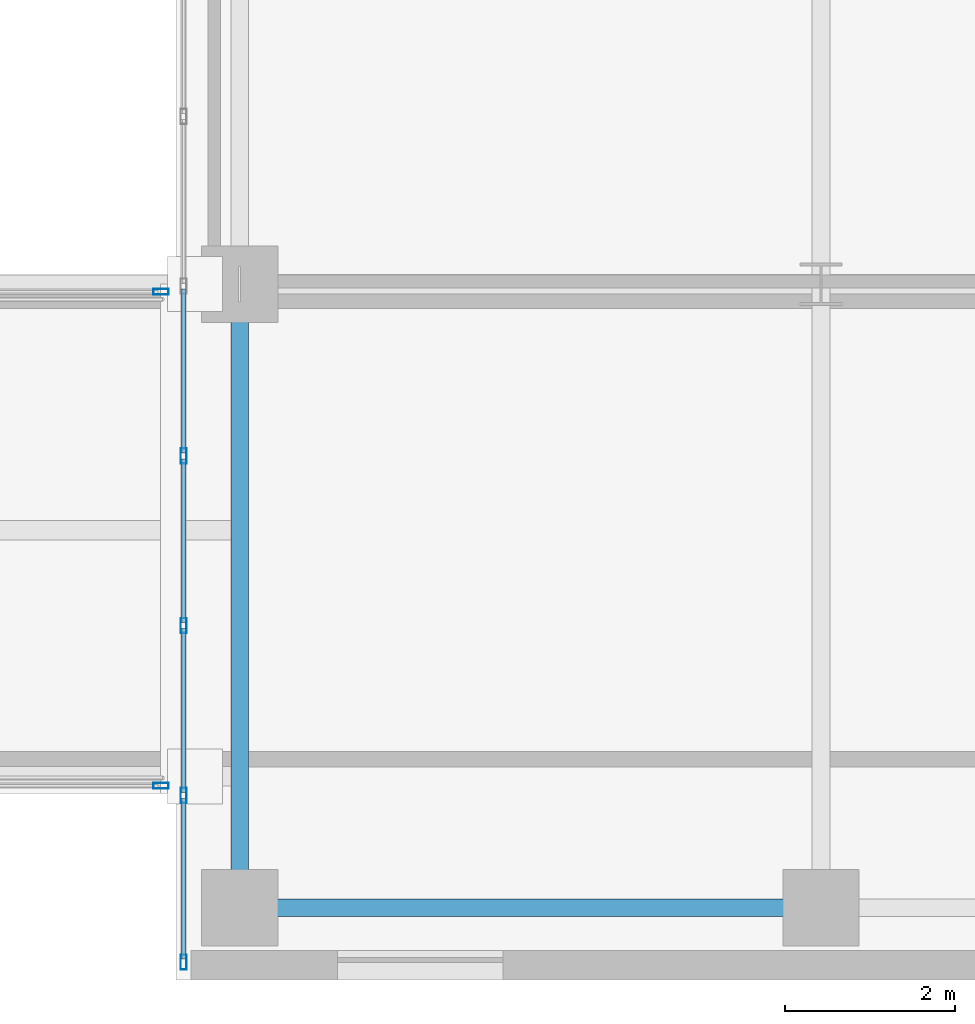
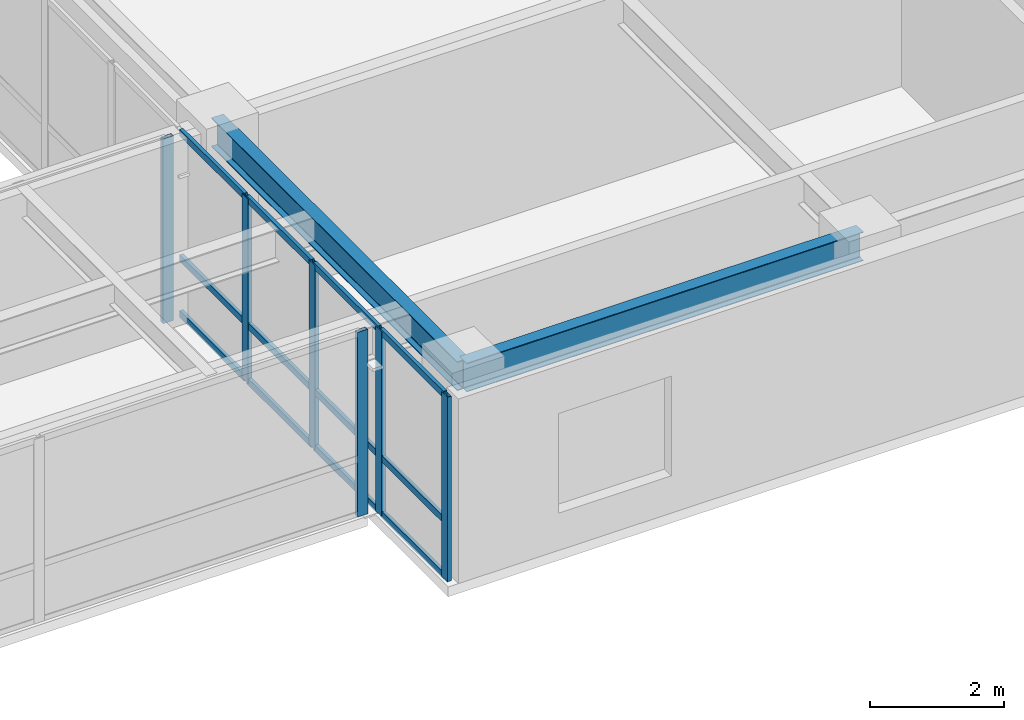
# One storey, part 5 of 25: 18 members, 2 beams, 3 elements without a shape of their own.
"""IFC4 building model written with IfcOpenShell, lengths in metres."""

from ifc_helpers import new_model, si_unit, direction, frame, origin, origin_2d, place, context, subcontext, project, spatial, hollow_rectangle, i_section, extrude, source, transform, mapped, material, layer, layer_set, material_profile, profile_set, type_object, type_shapes, element, aggregate, save


model = new_model("IFC4")

# Units and contexts
model_context = context("Model", 3, precision=1e-05, world=origin(), true_north=direction((0.0, 1.0)))
body_context = subcontext(model_context, "Body", "Model", "MODEL_VIEW")
ifc_project = project(units=[si_unit("LENGTHUNIT", "METRE"), si_unit("AREAUNIT", "SQUARE_METRE"), si_unit("VOLUMEUNIT", "CUBIC_METRE"), si_unit("PLANEANGLEUNIT", "RADIAN"), si_unit("MASSUNIT", "GRAM", prefix="KILO")], contexts=[model_context])

# Site, building, storey
site_placement = place(None, origin())
site = spatial("IfcSite", under=ifc_project, at=site_placement, CompositionType="ELEMENT")
building_placement = place(site_placement, origin())
building = spatial("IfcBuilding", under=site, at=building_placement, Name="Tolvann Quenvar Hotel", CompositionType="ELEMENT")
storey_placement = place(building_placement, frame((0.0, 0.0, 122.199951171875)))
storey = spatial("IfcBuildingStorey", under=building, at=storey_placement, Name="L31", CompositionType="ELEMENT", Elevation=122.199951171875)

# Beams
ifc_material_1 = material(Name="Steel Grade 350", Category="steel")
ifc_material_profile_1 = material_profile(ifc_material_1, i_section(OverallWidth=0.208984375, OverallDepth=0.528076171875, WebThickness=0.009521484375, FlangeThickness=0.01318359375, FilletRadius=0.013916015625, at=origin_2d()), Name="530UB82")
ifc_profile_set_1 = profile_set([ifc_material_profile_1], Name="Steel Grade 350")
beam_type_1 = type_object("IfcBeamType", Name="BM_SPAND_530UB82", PredefinedType="SPANDREL", material=ifc_profile_set_1)
shared_shape_1 = source(origin(), body_context, "Body", "SweptSolid", [
    extrude(i_section(OverallWidth=0.208984375, OverallDepth=0.528076171875, WebThickness=0.009521484375, FlangeThickness=0.01318359375, FilletRadius=0.013916015625, at=origin_2d()), origin(), (0.0, 0.0, 1.0), 6.85009765625),
])
type_shapes(beam_type_1, [shared_shape_1])
beam_1_placement = place(storey_placement, frame((34.949951171875, 0.85009765625, 3.10595703125), z_axis=(1.0, 0.0, 0.0), x_axis=(0.0, 1.0, 0.0)))
element("IfcBeam", 1, at=beam_1_placement, inside=storey, type_object=beam_type_1, Name="BM-L31-EW-2-F2-H2", PredefinedType="SPANDREL", context=body_context, shape_type="MappedRepresentation", body=[
    mapped(shared_shape_1, transform((0.0, 0.0, 0.0), x_axis=(1.0, 0.0, 0.0), y_axis=(0.0, 1.0, 0.0), z_axis=(0.0, 0.0, 1.0), scale=1.0)),
])
ifc_material_profile_2 = material_profile(ifc_material_1, i_section(OverallWidth=0.208984375, OverallDepth=0.532958984375, WebThickness=0.01025390625, FlangeThickness=0.015625, FilletRadius=0.013916015625, at=origin_2d()), Name="530UB92")
ifc_profile_set_2 = profile_set([ifc_material_profile_2], Name="Steel Grade 350")
beam_type_2 = type_object("IfcBeamType", Name="BM_GIRD_530UB92", PredefinedType="BEAM", material=ifc_profile_set_2)
shared_shape_2 = source(origin(), body_context, "Body", "SweptSolid", [
    extrude(i_section(OverallWidth=0.208984375, OverallDepth=0.532958984375, WebThickness=0.01025390625, FlangeThickness=0.015625, FilletRadius=0.013916015625, at=origin_2d()), origin(), (0.0, 0.0, 1.0), 7.349853515625),
])
type_shapes(beam_type_2, [shared_shape_2])
beam_2_placement = place(storey_placement, frame((34.949951171875, 0.85009765625, 3.103515625), z_axis=(0.0, 1.0, 0.0), x_axis=(-1.0, 0.0, 0.0)))
element("IfcBeam", 2, at=beam_2_placement, inside=storey, type_object=beam_type_2, Name="BM-L31-NS-F2-F3", PredefinedType="BEAM", context=body_context, shape_type="MappedRepresentation", body=[
    mapped(shared_shape_2, transform((0.0, 0.0, 0.0), x_axis=(1.0, 0.0, 0.0), y_axis=(0.0, 1.0, 0.0), z_axis=(0.0, 0.0, 1.0), scale=1.0)),
])

# Curtain wall, members
ifc_material_2 = material(Name="Thermally broken anodised architectural aluminium 6063-T6 and laminated low-E glass", Category="aluminium")
ifc_layer = layer(ifc_material_2, 0.179931640625)
ifc_layer_set = layer_set([ifc_layer], Name="Thermally broken anodised architectural aluminium 6063-T6 and laminated low-E glass")
curtain_wall_type = type_object("IfcCurtainWallType", Name="CW_SYS_SLOT_03", PredefinedType="USERDEFINED", material=ifc_layer_set)
curtain_wall_1_placement = place(storey_placement, origin())
curtain_wall_1 = element("IfcCurtainWall", 3, at=curtain_wall_1_placement, inside=storey, type_object=curtain_wall_type, Name="Curtain Wall CW-SLOT-03 (CWR-L31-E07)", ObjectType="UNITISED CURTAIN WALL", PredefinedType="USERDEFINED")
ifc_material_3 = material(Name="Anodised architectural aluminium 6063-T6 framing", Category="aluminium")
ifc_material_profile_3 = material_profile(ifc_material_3, hollow_rectangle(XDim=0.070068359375, YDim=0.179931640625, WallThickness=0.00390625, at=origin_2d()), Name="180x70x4RHS")
ifc_profile_set_3 = profile_set([ifc_material_profile_3], Name="Anodised architectural aluminium 6063-T6 framing")
member_type_1 = type_object("IfcMemberType", Name="CW_MULL_180x70", PredefinedType="MULLION", material=ifc_profile_set_3)
shared_shape_3 = source(origin(), body_context, "Body", "SweptSolid", [
    extrude(hollow_rectangle(XDim=0.070068359375, YDim=0.179931640625, WallThickness=0.00390625, at=origin_2d()), origin(), (0.0, 0.0, 1.0), 3.3701171875),
])
type_shapes(member_type_1, [shared_shape_3])
member_1_placement = place(storey_placement, frame((34.2900390625, 6.175048828125, 0.0), z_axis=(0.0, 0.0, 1.0), x_axis=(1.0, 0.0, 0.0)))
member_1 = element("IfcMember", 4, at=member_1_placement, type_object=member_type_1, Name="CW-SLOT-03 mullion 6", PredefinedType="MULLION", context=body_context, shape_type="MappedRepresentation", body=[
    mapped(shared_shape_3, transform((0.0, 0.0, 0.0), x_axis=(1.0, 0.0, 0.0), y_axis=(0.0, 1.0, 0.0), z_axis=(0.0, 0.0, 1.0), scale=1.0)),
])
member_2_placement = place(storey_placement, frame((34.2900390625, 4.175048828125, 0.0), z_axis=(0.0, 0.0, 1.0), x_axis=(1.0, 0.0, 0.0)))
member_2 = element("IfcMember", 5, at=member_2_placement, type_object=member_type_1, Name="CW-SLOT-03 mullion 7", PredefinedType="MULLION", context=body_context, shape_type="MappedRepresentation", body=[
    mapped(shared_shape_3, transform((0.0, 0.0, 0.0), x_axis=(1.0, 0.0, 0.0), y_axis=(0.0, 1.0, 0.0), z_axis=(0.0, 0.0, 1.0), scale=1.0)),
])
member_3_placement = place(storey_placement, frame((34.2900390625, 2.175048828125, 0.0), z_axis=(0.0, 0.0, 1.0), x_axis=(1.0, 0.0, 0.0)))
member_3 = element("IfcMember", 6, at=member_3_placement, type_object=member_type_1, Name="CW-SLOT-03 mullion 8", PredefinedType="MULLION", context=body_context, shape_type="MappedRepresentation", body=[
    mapped(shared_shape_3, transform((0.0, 0.0, 0.0), x_axis=(1.0, 0.0, 0.0), y_axis=(0.0, 1.0, 0.0), z_axis=(0.0, 0.0, 1.0), scale=1.0)),
])
member_4_placement = place(storey_placement, frame((34.2900390625, 0.2099609375, 0.0), z_axis=(0.0, 0.0, 1.0), x_axis=(1.0, 0.0, 0.0)))
member_4 = element("IfcMember", 7, at=member_4_placement, type_object=member_type_1, Name="CW-SLOT-03 mullion 9", PredefinedType="MULLION", context=body_context, shape_type="MappedRepresentation", body=[
    mapped(shared_shape_3, transform((0.0, 0.0, 0.0), x_axis=(1.0, 0.0, 0.0), y_axis=(0.0, 1.0, 0.0), z_axis=(0.0, 0.0, 1.0), scale=1.0)),
])

# Curtain wall, member
curtain_wall_2_placement = place(storey_placement, origin())
curtain_wall_2 = element("IfcCurtainWall", 8, at=curtain_wall_2_placement, inside=storey, type_object=curtain_wall_type, Name="Curtain Wall CW-SLOT-03 (CWR-BRG-L31-S)", ObjectType="UNITISED CURTAIN WALL", PredefinedType="USERDEFINED")
member_5_placement = place(storey_placement, frame((34.02490234375, 2.2900390625, 0.0), z_axis=(0.0, 0.0, 1.0), x_axis=(0.0, 1.0, 0.0)))
member_5 = element("IfcMember", 9, at=member_5_placement, type_object=member_type_1, Name="CW-SLOT-03 mullion 3", PredefinedType="MULLION", context=body_context, shape_type="MappedRepresentation", body=[
    mapped(shared_shape_3, transform((0.0, 0.0, 0.0), x_axis=(1.0, 0.0, 0.0), y_axis=(0.0, 1.0, 0.0), z_axis=(0.0, 0.0, 1.0), scale=1.0)),
])
aggregate(curtain_wall_2, [member_5])

curtain_wall_3_placement = place(storey_placement, origin())
curtain_wall_3 = element("IfcCurtainWall", 10, at=curtain_wall_3_placement, inside=storey, type_object=curtain_wall_type, Name="Curtain Wall CW-SLOT-03 (CWR-BRG-L31-N)", ObjectType="UNITISED CURTAIN WALL", PredefinedType="USERDEFINED")
member_6_placement = place(storey_placement, frame((34.02490234375, 8.110107421875, 0.0), z_axis=(0.0, 0.0, 1.0), x_axis=(0.0, -1.0, 0.0)))
member_6 = element("IfcMember", 11, at=member_6_placement, type_object=member_type_1, Name="CW-SLOT-03 mullion 1", PredefinedType="MULLION", context=body_context, shape_type="MappedRepresentation", body=[
    mapped(shared_shape_3, transform((0.0, 0.0, 0.0), x_axis=(1.0, 0.0, 0.0), y_axis=(0.0, 1.0, 0.0), z_axis=(0.0, 0.0, 1.0), scale=1.0)),
])
aggregate(curtain_wall_3, [member_6])

# Member
ifc_material_profile_4 = material_profile(ifc_material_3, hollow_rectangle(XDim=0.06005859375, YDim=0.1201171875, WallThickness=0.00341796875, at=origin_2d()), Name="120x60x3.5RHS")
ifc_profile_set_4 = profile_set([ifc_material_profile_4], Name="Anodised architectural aluminium 6063-T6 framing")
member_type_2 = type_object("IfcMemberType", Name="CW_TRAN_120x60", PredefinedType="USERDEFINED", material=ifc_profile_set_4)
shared_shape_4 = source(origin(), body_context, "Body", "SweptSolid", [
    extrude(hollow_rectangle(XDim=0.06005859375, YDim=0.1201171875, WallThickness=0.00341796875, at=origin_2d()), origin(), (0.0, 0.0, 1.0), 1.894775390625),
])
member_7_placement = place(storey_placement, frame((34.2900390625, 2.139892578125, 0.030029296875), z_axis=(0.0, -1.0, 0.0), x_axis=(1.0, 0.0, 0.0)))
member_7 = element("IfcMember", 12, at=member_7_placement, type_object=member_type_2, Name="CW-SLOT-03 transom 8.1", ObjectType="TRANSOM", PredefinedType="USERDEFINED", context=body_context, shape_type="MappedRepresentation", body=[
    mapped(shared_shape_4, transform((0.0, 0.0, 0.0), x_axis=(1.0, 0.0, 0.0), y_axis=(0.0, 1.0, 0.0), z_axis=(0.0, 0.0, 1.0), scale=1.0)),
])

member_8_placement = place(storey_placement, frame((34.2900390625, 2.139892578125, 1.050048828125), z_axis=(0.0, -1.0, 0.0), x_axis=(1.0, 0.0, 0.0)))
member_8 = element("IfcMember", 13, at=member_8_placement, type_object=member_type_2, Name="CW-SLOT-03 transom 8.2", ObjectType="TRANSOM", PredefinedType="USERDEFINED", context=body_context, shape_type="MappedRepresentation", body=[
    mapped(shared_shape_4, transform((0.0, 0.0, 0.0), x_axis=(1.0, 0.0, 0.0), y_axis=(0.0, 1.0, 0.0), z_axis=(0.0, 0.0, 1.0), scale=1.0)),
])

member_9_placement = place(storey_placement, frame((34.2900390625, 2.139892578125, 3.340087890625), z_axis=(0.0, -1.0, 0.0), x_axis=(1.0, 0.0, 0.0)))
member_9 = element("IfcMember", 14, at=member_9_placement, type_object=member_type_2, Name="CW-SLOT-03 transom 8.3", ObjectType="TRANSOM", PredefinedType="USERDEFINED", context=body_context, shape_type="MappedRepresentation", body=[
    mapped(shared_shape_4, transform((0.0, 0.0, 0.0), x_axis=(1.0, 0.0, 0.0), y_axis=(0.0, 1.0, 0.0), z_axis=(0.0, 0.0, 1.0), scale=1.0)),
])

shared_shape_5 = source(origin(), body_context, "Body", "SweptSolid", [
    extrude(hollow_rectangle(XDim=0.06005859375, YDim=0.1201171875, WallThickness=0.00341796875, at=origin_2d()), origin(), (0.0, 0.0, 1.0), 1.929931640625),
])
type_shapes(member_type_2, [shared_shape_4, shared_shape_5])
member_10_placement = place(storey_placement, frame((34.2900390625, 8.139892578125, 0.030029296875), z_axis=(0.0, -1.0, 0.0), x_axis=(1.0, 0.0, 0.0)))
member_10 = element("IfcMember", 15, at=member_10_placement, type_object=member_type_2, Name="CW-SLOT-03 transom 5.1", ObjectType="TRANSOM", PredefinedType="USERDEFINED", context=body_context, shape_type="MappedRepresentation", body=[
    mapped(shared_shape_5, transform((0.0, 0.0, 0.0), x_axis=(1.0, 0.0, 0.0), y_axis=(0.0, 1.0, 0.0), z_axis=(0.0, 0.0, 1.0), scale=1.0)),
])

member_11_placement = place(storey_placement, frame((34.2900390625, 8.139892578125, 1.050048828125), z_axis=(0.0, -1.0, 0.0), x_axis=(1.0, 0.0, 0.0)))
member_11 = element("IfcMember", 16, at=member_11_placement, type_object=member_type_2, Name="CW-SLOT-03 transom 5.2", ObjectType="TRANSOM", PredefinedType="USERDEFINED", context=body_context, shape_type="MappedRepresentation", body=[
    mapped(shared_shape_5, transform((0.0, 0.0, 0.0), x_axis=(1.0, 0.0, 0.0), y_axis=(0.0, 1.0, 0.0), z_axis=(0.0, 0.0, 1.0), scale=1.0)),
])

member_12_placement = place(storey_placement, frame((34.2900390625, 8.139892578125, 3.340087890625), z_axis=(0.0, -1.0, 0.0), x_axis=(1.0, 0.0, 0.0)))
member_12 = element("IfcMember", 17, at=member_12_placement, type_object=member_type_2, Name="CW-SLOT-03 transom 5.3", ObjectType="TRANSOM", PredefinedType="USERDEFINED", context=body_context, shape_type="MappedRepresentation", body=[
    mapped(shared_shape_5, transform((0.0, 0.0, 0.0), x_axis=(1.0, 0.0, 0.0), y_axis=(0.0, 1.0, 0.0), z_axis=(0.0, 0.0, 1.0), scale=1.0)),
])

member_13_placement = place(storey_placement, frame((34.2900390625, 6.139892578125, 0.030029296875), z_axis=(0.0, -1.0, 0.0), x_axis=(1.0, 0.0, 0.0)))
member_13 = element("IfcMember", 18, at=member_13_placement, type_object=member_type_2, Name="CW-SLOT-03 transom 6.1", ObjectType="TRANSOM", PredefinedType="USERDEFINED", context=body_context, shape_type="MappedRepresentation", body=[
    mapped(shared_shape_5, transform((0.0, 0.0, 0.0), x_axis=(1.0, 0.0, 0.0), y_axis=(0.0, 1.0, 0.0), z_axis=(0.0, 0.0, 1.0), scale=1.0)),
])

member_14_placement = place(storey_placement, frame((34.2900390625, 6.139892578125, 1.050048828125), z_axis=(0.0, -1.0, 0.0), x_axis=(1.0, 0.0, 0.0)))
member_14 = element("IfcMember", 19, at=member_14_placement, type_object=member_type_2, Name="CW-SLOT-03 transom 6.2", ObjectType="TRANSOM", PredefinedType="USERDEFINED", context=body_context, shape_type="MappedRepresentation", body=[
    mapped(shared_shape_5, transform((0.0, 0.0, 0.0), x_axis=(1.0, 0.0, 0.0), y_axis=(0.0, 1.0, 0.0), z_axis=(0.0, 0.0, 1.0), scale=1.0)),
])

member_15_placement = place(storey_placement, frame((34.2900390625, 6.139892578125, 3.340087890625), z_axis=(0.0, -1.0, 0.0), x_axis=(1.0, 0.0, 0.0)))
member_15 = element("IfcMember", 20, at=member_15_placement, type_object=member_type_2, Name="CW-SLOT-03 transom 6.3", ObjectType="TRANSOM", PredefinedType="USERDEFINED", context=body_context, shape_type="MappedRepresentation", body=[
    mapped(shared_shape_5, transform((0.0, 0.0, 0.0), x_axis=(1.0, 0.0, 0.0), y_axis=(0.0, 1.0, 0.0), z_axis=(0.0, 0.0, 1.0), scale=1.0)),
])

member_16_placement = place(storey_placement, frame((34.2900390625, 4.139892578125, 0.030029296875), z_axis=(0.0, -1.0, 0.0), x_axis=(1.0, 0.0, 0.0)))
member_16 = element("IfcMember", 21, at=member_16_placement, type_object=member_type_2, Name="CW-SLOT-03 transom 7.1", ObjectType="TRANSOM", PredefinedType="USERDEFINED", context=body_context, shape_type="MappedRepresentation", body=[
    mapped(shared_shape_5, transform((0.0, 0.0, 0.0), x_axis=(1.0, 0.0, 0.0), y_axis=(0.0, 1.0, 0.0), z_axis=(0.0, 0.0, 1.0), scale=1.0)),
])

member_17_placement = place(storey_placement, frame((34.2900390625, 4.139892578125, 1.050048828125), z_axis=(0.0, -1.0, 0.0), x_axis=(1.0, 0.0, 0.0)))
member_17 = element("IfcMember", 22, at=member_17_placement, type_object=member_type_2, Name="CW-SLOT-03 transom 7.2", ObjectType="TRANSOM", PredefinedType="USERDEFINED", context=body_context, shape_type="MappedRepresentation", body=[
    mapped(shared_shape_5, transform((0.0, 0.0, 0.0), x_axis=(1.0, 0.0, 0.0), y_axis=(0.0, 1.0, 0.0), z_axis=(0.0, 0.0, 1.0), scale=1.0)),
])

member_18_placement = place(storey_placement, frame((34.2900390625, 4.139892578125, 3.340087890625), z_axis=(0.0, -1.0, 0.0), x_axis=(1.0, 0.0, 0.0)))
member_18 = element("IfcMember", 23, at=member_18_placement, type_object=member_type_2, Name="CW-SLOT-03 transom 7.3", ObjectType="TRANSOM", PredefinedType="USERDEFINED", context=body_context, shape_type="MappedRepresentation", body=[
    mapped(shared_shape_5, transform((0.0, 0.0, 0.0), x_axis=(1.0, 0.0, 0.0), y_axis=(0.0, 1.0, 0.0), z_axis=(0.0, 0.0, 1.0), scale=1.0)),
])

aggregate(curtain_wall_1, [member_1, member_2, member_3, member_4, member_10, member_11, member_12, member_13, member_14, member_15, member_16, member_17, member_18, member_7, member_8, member_9])

save(model, "model.ifc")
